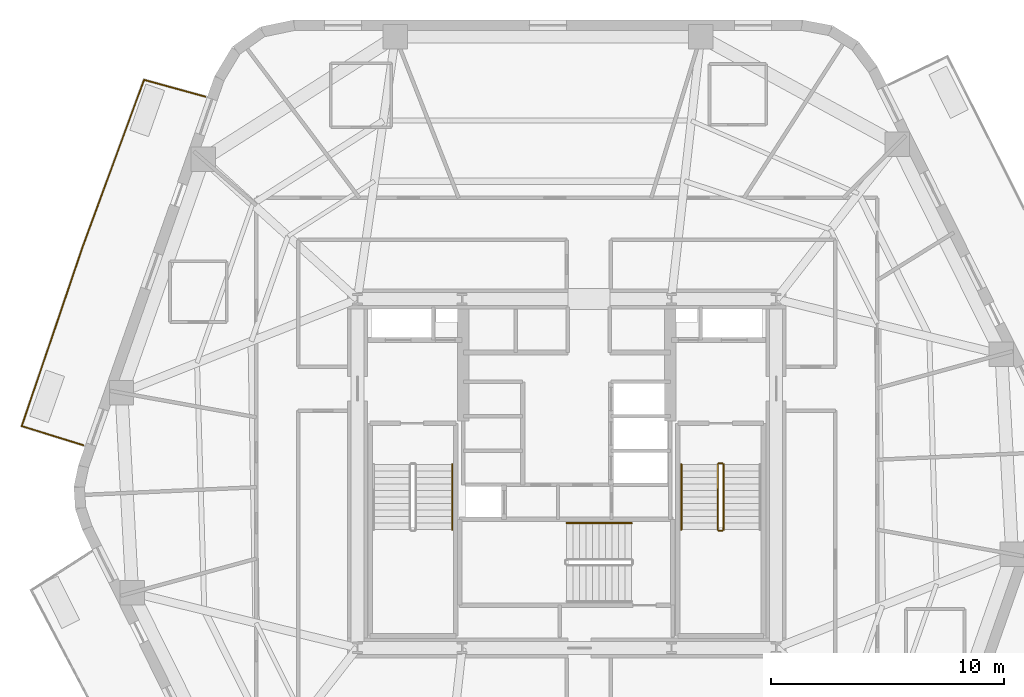
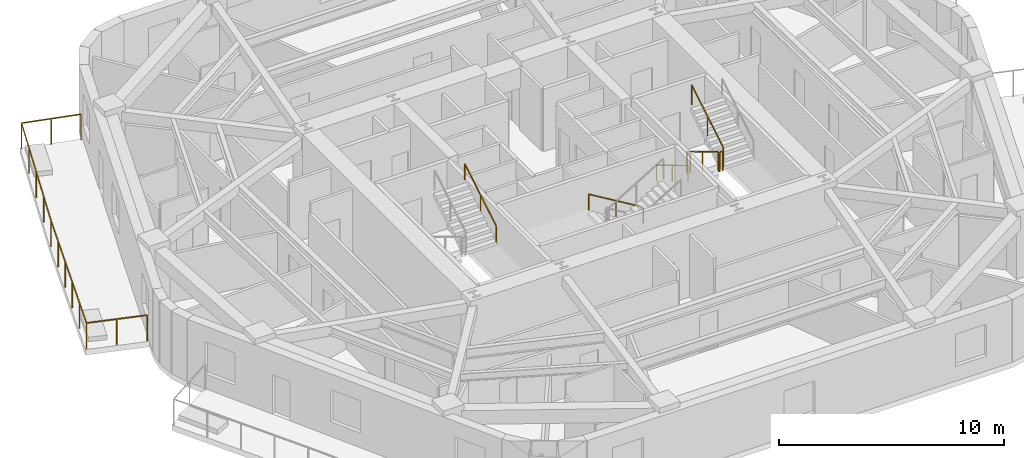
# One storey, part 9 of 10: 8 railings.
"""IFC4 building model written with IfcOpenShell, lengths in metres."""

from ifc_helpers import new_model, si_unit, direction, frame, origin, origin_2d, place, context, subcontext, project, spatial, rectangle, extrude, material, layer, layer_set, type_object, element, save


model = new_model("IFC4")

# Units and contexts
model_context = context("Model", 3, precision=1e-05, world=origin(), true_north=direction((0.0, 1.0)))
body_context = subcontext(model_context, "Body", "Model", "MODEL_VIEW")
ifc_project = project(units=[si_unit("LENGTHUNIT", "METRE"), si_unit("AREAUNIT", "SQUARE_METRE"), si_unit("VOLUMEUNIT", "CUBIC_METRE"), si_unit("PLANEANGLEUNIT", "RADIAN"), si_unit("MASSUNIT", "GRAM", prefix="KILO")], contexts=[model_context])

# Site, building, storey
site_placement = place(None, origin())
site = spatial("IfcSite", under=ifc_project, at=site_placement, CompositionType="ELEMENT")
building_placement = place(site_placement, origin())
building = spatial("IfcBuilding", under=site, at=building_placement, Name="Kilnhurst Terrace Hotel", CompositionType="ELEMENT")
storey_placement = place(building_placement, frame((0.0, 0.0, 144.300048828125)))
storey = spatial("IfcBuildingStorey", under=building, at=storey_placement, Name="L35", CompositionType="ELEMENT", Elevation=144.300048828125)

# Railings
ifc_material_1 = material(Name="Laminated SentryGlas and Stainless Steel AISI 316L Balustrade", Category="steel")
ifc_layer_1 = layer(ifc_material_1, 0.070068359375, Name="Laminated SentryGlas and Stainless Steel AISI 316L Balustrade")
ifc_layer_set_1 = layer_set([ifc_layer_1], Name="Laminated SentryGlas and Stainless Steel AISI 316L Balustrade")
railing_type_1 = type_object("IfcRailingType", Name="RLG-BAL-1420", PredefinedType="BALUSTRADE", material=ifc_layer_set_1)
railing_1_placement = place(storey_placement, frame((-20.783935546875, 1.215087890625, 0.0)))
element("IfcRailing", 1, at=railing_1_placement, inside=storey, type_object=railing_type_1, Name="L35 Exterior Terrace Guardrail BAL-L2A.1", PredefinedType="BALUSTRADE", context=body_context, shape_type="SweptSolid", body=[
    extrude(rectangle(XDim=0.048095703125, YDim=0.048095703125, at=origin_2d()), frame((0.0, 0.0, 1.39599609375), z_axis=(-0.954948187333, 0.29677257203, 0.0), x_axis=(-0.29677257203, -0.954948187333, 0.0)), (0.0, 0.0, 1.0), 2.7763671875),
    extrude(rectangle(XDim=0.048095703125, YDim=0.048095703125, at=origin_2d()), frame((-2.6513671875, 0.823974609375, 1.39599609375), z_axis=(0.321641701575, 0.946861455445, 0.0), x_axis=(-0.946861455445, 0.321641701575, 0.0)), (0.0, 0.0, 1.0), 8.082275390625),
    extrude(rectangle(XDim=0.048095703125, YDim=0.048095703125, at=origin_2d()), frame((-0.0517578125, 8.476806640625, 1.39599609375), z_axis=(0.344704120874, 0.938711387516, 0.0), x_axis=(-0.938711387516, 0.344704120874, 0.0)), (0.0, 0.0, 1.0), 7.7080078125),
    extrude(rectangle(XDim=0.048095703125, YDim=0.048095703125, at=origin_2d()), frame((2.605224609375, 15.71240234375, 1.39599609375), z_axis=(0.964239560757, -0.265032204593, 0.0), x_axis=(0.265032204593, 0.964239560757, 0.0)), (0.0, 0.0, 1.0), 2.739501953125),
    extrude(rectangle(XDim=0.0419921875, YDim=0.0419921875, at=origin_2d()), origin(), (0.0, 0.0, 1.0), 1.371826171875),
    extrude(rectangle(XDim=0.0419921875, YDim=0.0419921875, at=origin_2d()), frame((-1.32568359375, 0.412109375, 0.0)), (0.0, 0.0, 1.0), 1.371826171875),
    extrude(rectangle(XDim=0.0419921875, YDim=0.0419921875, at=origin_2d()), frame((-2.6513671875, 0.823974609375, 0.0)), (0.0, 0.0, 1.0), 1.371826171875),
    extrude(rectangle(XDim=0.0419921875, YDim=0.0419921875, at=origin_2d()), frame((-2.13134765625, 2.3544921875, 0.0)), (0.0, 0.0, 1.0), 1.371826171875),
    extrude(rectangle(XDim=0.0419921875, YDim=0.0419921875, at=origin_2d()), frame((-1.611572265625, 3.885009765625, 0.0)), (0.0, 0.0, 1.0), 1.371826171875),
    extrude(rectangle(XDim=0.0419921875, YDim=0.0419921875, at=origin_2d()), frame((-1.091552734375, 5.415771484375, 0.0)), (0.0, 0.0, 1.0), 1.371826171875),
    extrude(rectangle(XDim=0.0419921875, YDim=0.0419921875, at=origin_2d()), frame((-0.57177734375, 6.9462890625, 0.0)), (0.0, 0.0, 1.0), 1.371826171875),
    extrude(rectangle(XDim=0.0419921875, YDim=0.0419921875, at=origin_2d()), frame((-0.0517578125, 8.476806640625, 0.0)), (0.0, 0.0, 1.0), 1.371826171875),
    extrude(rectangle(XDim=0.0419921875, YDim=0.0419921875, at=origin_2d()), frame((0.612548828125, 10.28564453125, 0.0)), (0.0, 0.0, 1.0), 1.371826171875),
    extrude(rectangle(XDim=0.0419921875, YDim=0.0419921875, at=origin_2d()), frame((1.27685546875, 12.0947265625, 0.0)), (0.0, 0.0, 1.0), 1.371826171875),
    extrude(rectangle(XDim=0.0419921875, YDim=0.0419921875, at=origin_2d()), frame((1.94091796875, 13.903564453125, 0.0)), (0.0, 0.0, 1.0), 1.371826171875),
    extrude(rectangle(XDim=0.0419921875, YDim=0.0419921875, at=origin_2d()), frame((2.605224609375, 15.71240234375, 0.0)), (0.0, 0.0, 1.0), 1.371826171875),
    extrude(rectangle(XDim=0.0419921875, YDim=0.0419921875, at=origin_2d()), frame((3.926025390625, 15.349365234375, 0.0)), (0.0, 0.0, 1.0), 1.371826171875),
    extrude(rectangle(XDim=0.0419921875, YDim=0.0419921875, at=origin_2d()), frame((5.246826171875, 14.986328125, 0.0)), (0.0, 0.0, 1.0), 1.371826171875),
])
ifc_material_2 = material(Name="Powder-Coated Steel ASTM A500 Grade B", Category="steel")
ifc_layer_2 = layer(ifc_material_2, 0.050048828125, Name="Powder-Coated Steel ASTM A500 Grade B")
ifc_layer_set_2 = layer_set([ifc_layer_2], Name="Powder-Coated Steel ASTM A500 Grade B")
railing_type_2 = type_object("IfcRailingType", Name="RLG-ST-GRD-1100", PredefinedType="GUARDRAIL", material=ifc_layer_set_2)
railing_2_placement = place(storey_placement, frame((6.489990234375, 0.389892578125, 0.168212890625)))
element("IfcRailing", 2, at=railing_2_placement, inside=storey, type_object=railing_type_2, Name="L35 ST-2 stair guard 1", PredefinedType="GUARDRAIL", context=body_context, shape_type="SweptSolid", body=[
    extrude(rectangle(XDim=0.048095703125, YDim=0.048095703125, at=origin_2d()), frame((0.0, 0.0, 1.076171875), z_axis=(0.0, -0.857255387014, 0.514891446264), x_axis=(1.0, 0.0, 0.0)), (0.0, 0.0, 1.0), 3.26611328125),
    extrude(rectangle(XDim=0.0419921875, YDim=0.0419921875, at=origin_2d()), origin(), (0.0, 0.0, 1.0), 1.052001953125),
    extrude(rectangle(XDim=0.0419921875, YDim=0.0419921875, at=origin_2d()), frame((0.0, -1.39990234375, 0.8408203125)), (0.0, 0.0, 1.0), 1.052001953125),
    extrude(rectangle(XDim=0.0419921875, YDim=0.0419921875, at=origin_2d()), frame((0.0, -2.7998046875, 1.681640625)), (0.0, 0.0, 1.0), 1.052001953125),
])
railing_3_placement = place(storey_placement, frame((6.5400390625, -2.4599609375, 1.849853515625)))
element("IfcRailing", 3, at=railing_3_placement, inside=storey, type_object=railing_type_2, Name="L35 ST-2 stair guard 2", PredefinedType="GUARDRAIL", context=body_context, shape_type="SweptSolid", body=[
    extrude(rectangle(XDim=0.048095703125, YDim=0.048095703125, at=origin_2d()), frame((0.0, 0.0, 1.076171875), z_axis=(1.0, 0.0, 0.0), x_axis=(0.0, 1.0, 0.0)), (0.0, 0.0, 1.0), 0.14990234375),
    extrude(rectangle(XDim=0.0419921875, YDim=0.0419921875, at=origin_2d()), origin(), (0.0, 0.0, 1.0), 1.052001953125),
    extrude(rectangle(XDim=0.0419921875, YDim=0.0419921875, at=origin_2d()), frame((0.14990234375, 0.0, 0.0)), (0.0, 0.0, 1.0), 1.052001953125),
])
railing_4_placement = place(storey_placement, frame((6.739990234375, -2.409912109375, 2.01806640625)))
element("IfcRailing", 4, at=railing_4_placement, inside=storey, type_object=railing_type_2, Name="L35 ST-2 stair guard 3", PredefinedType="GUARDRAIL", context=body_context, shape_type="SweptSolid", body=[
    extrude(rectangle(XDim=0.048095703125, YDim=0.048095703125, at=origin_2d()), frame((0.0, 0.0, 1.076171875), z_axis=(0.0, 0.857222391501, 0.514946377315), x_axis=(-1.0, 0.0, 0.0)), (0.0, 0.0, 1.0), 3.26611328125),
    extrude(rectangle(XDim=0.0419921875, YDim=0.0419921875, at=origin_2d()), origin(), (0.0, 0.0, 1.0), 1.052001953125),
    extrude(rectangle(XDim=0.0419921875, YDim=0.0419921875, at=origin_2d()), frame((0.0, 1.39990234375, 0.8408203125)), (0.0, 0.0, 1.0), 1.052001953125),
    extrude(rectangle(XDim=0.0419921875, YDim=0.0419921875, at=origin_2d()), frame((0.0, 2.7998046875, 1.681884765625)), (0.0, 0.0, 1.0), 1.052001953125),
])
railing_5_placement = place(storey_placement, frame((6.5400390625, 0.43994140625, 0.0)))
element("IfcRailing", 5, at=railing_5_placement, inside=storey, type_object=railing_type_2, Name="L35 ST-2 stair guard 4", PredefinedType="GUARDRAIL", context=body_context, shape_type="SweptSolid", body=[
    extrude(rectangle(XDim=0.048095703125, YDim=0.048095703125, at=origin_2d()), frame((0.0, 0.0, 1.076171875), z_axis=(1.0, 0.0, 0.0), x_axis=(0.0, 1.0, 0.0)), (0.0, 0.0, 1.0), 0.14990234375),
    extrude(rectangle(XDim=0.0419921875, YDim=0.0419921875, at=origin_2d()), origin(), (0.0, 0.0, 1.0), 1.052001953125),
    extrude(rectangle(XDim=0.0419921875, YDim=0.0419921875, at=origin_2d()), frame((0.14990234375, 0.0, 0.0)), (0.0, 0.0, 1.0), 1.052001953125),
])
ifc_material_3 = material(Name="Brushed Stainless Steel AISI 304", Category="steel")
ifc_layer_3 = layer(ifc_material_3, 0.048095703125, Name="Brushed Stainless Steel AISI 304")
ifc_layer_set_3 = layer_set([ifc_layer_3], Name="Brushed Stainless Steel AISI 304")
railing_type_3 = type_object("IfcRailingType", Name="RLG-ST-HRL-900", PredefinedType="HANDRAIL", material=ifc_layer_set_3)
railing_6_placement = place(storey_placement, frame((-4.929931640625, -2.409912109375, 2.01806640625)))
element("IfcRailing", 6, at=railing_6_placement, inside=storey, type_object=railing_type_3, Name="L35 ST-1 stair handrail 2", PredefinedType="HANDRAIL", context=body_context, shape_type="SweptSolid", body=[
    extrude(rectangle(XDim=0.048095703125, YDim=0.048095703125, at=origin_2d()), frame((0.0, 0.0, 0.8759765625), z_axis=(0.0, 0.857222391501, 0.514946377315), x_axis=(-1.0, 0.0, 0.0)), (0.0, 0.0, 1.0), 3.26611328125),
    extrude(rectangle(XDim=0.0419921875, YDim=0.0419921875, at=origin_2d()), origin(), (0.0, 0.0, 1.0), 0.851806640625),
    extrude(rectangle(XDim=0.0419921875, YDim=0.0419921875, at=origin_2d()), frame((0.0, 1.39990234375, 0.8408203125)), (0.0, 0.0, 1.0), 0.851806640625),
    extrude(rectangle(XDim=0.0419921875, YDim=0.0419921875, at=origin_2d()), frame((0.0, 2.7998046875, 1.681884765625)), (0.0, 0.0, 1.0), 0.851806640625),
])
railing_7_placement = place(storey_placement, frame((4.929931640625, 0.389892578125, 0.168212890625)))
element("IfcRailing", 7, at=railing_7_placement, inside=storey, type_object=railing_type_3, Name="L35 ST-2 stair handrail 1", PredefinedType="HANDRAIL", context=body_context, shape_type="SweptSolid", body=[
    extrude(rectangle(XDim=0.048095703125, YDim=0.048095703125, at=origin_2d()), frame((0.0, 0.0, 0.8759765625), z_axis=(0.0, -0.857255387014, 0.514891446264), x_axis=(1.0, 0.0, 0.0)), (0.0, 0.0, 1.0), 3.26611328125),
    extrude(rectangle(XDim=0.0419921875, YDim=0.0419921875, at=origin_2d()), origin(), (0.0, 0.0, 1.0), 0.851806640625),
    extrude(rectangle(XDim=0.0419921875, YDim=0.0419921875, at=origin_2d()), frame((0.0, -1.39990234375, 0.8408203125)), (0.0, 0.0, 1.0), 0.851806640625),
    extrude(rectangle(XDim=0.0419921875, YDim=0.0419921875, at=origin_2d()), frame((0.0, -2.7998046875, 1.681640625)), (0.0, 0.0, 1.0), 0.851806640625),
])
railing_8_placement = place(storey_placement, frame((2.7900390625, -2.1298828125, 0.168212890625)))
element("IfcRailing", 8, at=railing_8_placement, inside=storey, type_object=railing_type_3, Name="L35 ST-3 stair handrail 1", PredefinedType="HANDRAIL", context=body_context, shape_type="SweptSolid", body=[
    extrude(rectangle(XDim=0.048095703125, YDim=0.048095703125, at=origin_2d()), frame((0.0, 0.0, 0.8759765625), z_axis=(-0.857275202839, 0.0, 0.514858452973), x_axis=(0.0, -1.0, 0.0)), (0.0, 0.0, 1.0), 3.26611328125),
    extrude(rectangle(XDim=0.0419921875, YDim=0.0419921875, at=origin_2d()), origin(), (0.0, 0.0, 1.0), 0.851806640625),
    extrude(rectangle(XDim=0.0419921875, YDim=0.0419921875, at=origin_2d()), frame((-1.39990234375, 0.0, 0.8408203125)), (0.0, 0.0, 1.0), 0.851806640625),
    extrude(rectangle(XDim=0.0419921875, YDim=0.0419921875, at=origin_2d()), frame((-2.800048828125, 0.0, 1.681640625)), (0.0, 0.0, 1.0), 0.851806640625),
])

save(model, "model.ifc")
